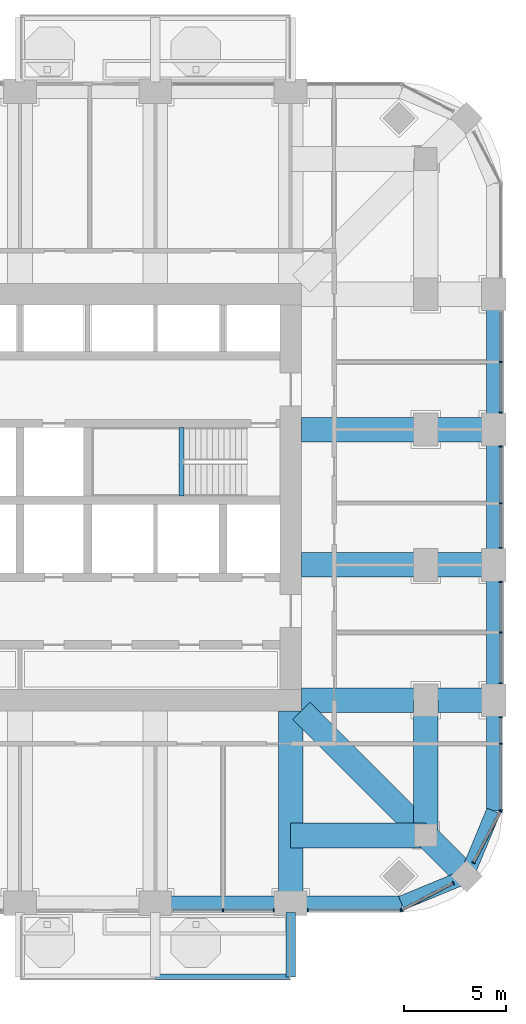
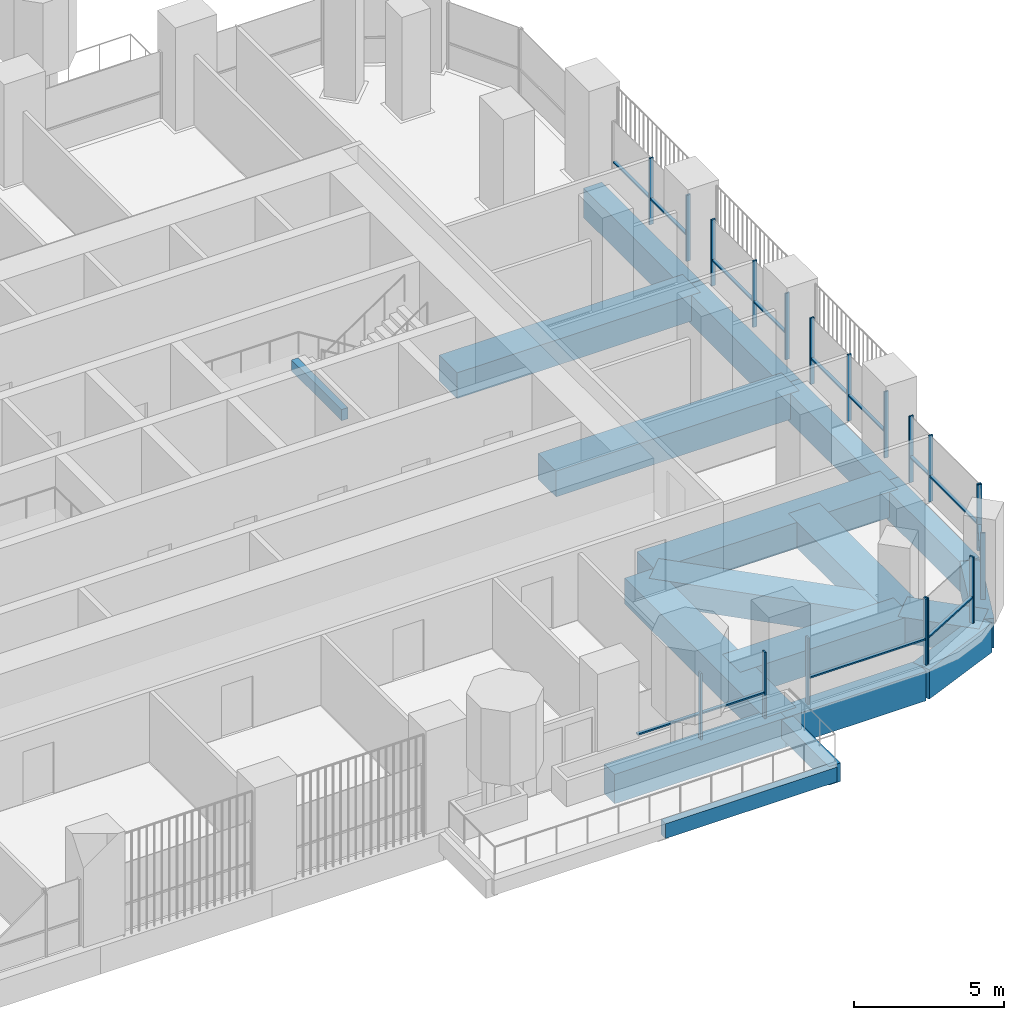
# One storey, part 5 of 20: 32 members, 19 beams, 8 elements without a shape of their own.
"""IFC4 building model written with IfcOpenShell, lengths in metres."""

from ifc_helpers import new_model, si_unit, direction, frame, origin, origin_2d, place, context, subcontext, project, spatial, rectangle, extrude, material, material_profile, profile_set, type_object, element, aggregate, save


model = new_model("IFC4")

# Units and contexts
model_context = context("Model", 3, precision=1e-05, world=origin(), true_north=direction((0.0, 1.0)))
body_context = subcontext(model_context, "Body", "Model", "MODEL_VIEW")
ifc_project = project(units=[si_unit("LENGTHUNIT", "METRE"), si_unit("AREAUNIT", "SQUARE_METRE"), si_unit("VOLUMEUNIT", "CUBIC_METRE"), si_unit("PLANEANGLEUNIT", "RADIAN"), si_unit("MASSUNIT", "GRAM", prefix="KILO")], contexts=[model_context])

# Site, building, storey
site_placement = place(None, origin())
site = spatial("IfcSite", under=ifc_project, at=site_placement, CompositionType="ELEMENT")
building_placement = place(site_placement, origin())
building = spatial("IfcBuilding", under=site, at=building_placement, Name="Cobogo Forest Laboratory Tower", CompositionType="ELEMENT")
storey_placement = place(building_placement, frame((0.0, 0.0, 189.300048828125)))
storey = spatial("IfcBuildingStorey", under=building, at=storey_placement, Name="L43", CompositionType="ELEMENT", Elevation=189.300048828125)

# Beams
ifc_material_1 = material(Name="Concrete HA-40 (C40/50)", Category="concrete")
ifc_material_profile_1 = material_profile(ifc_material_1, rectangle(XDim=0.449951171875, YDim=0.75, at=origin_2d()), Name="RC 450x750")
ifc_profile_set_1 = profile_set([ifc_material_profile_1], Name="Concrete HA-40 (C40/50)")
beam_type_1 = type_object("IfcBeamType", Name="Balcony cantilever beam 450x750", PredefinedType="BEAM", material=ifc_profile_set_1)
beam_1_placement = place(storey_placement, frame((39.60009765625, 2.85009765625, -0.625), z_axis=(0.0, -1.0, 0.0), x_axis=(1.0, 0.0, 0.0)))
element("IfcBeam", 1, at=beam_1_placement, inside=storey, type_object=beam_type_1, Name="CB1 BAL-S1-C3 L43", PredefinedType="BEAM", context=body_context, shape_type="SweptSolid", body=[
    extrude(rectangle(XDim=0.449951171875, YDim=0.75, at=origin_2d()), origin(), (0.0, 0.0, 1.0), 3.150146484375),
])
ifc_material_profile_2 = material_profile(ifc_material_1, rectangle(XDim=0.300048828125, YDim=0.60009765625, at=origin_2d()), Name="RC 300x600")
ifc_profile_set_2 = profile_set([ifc_material_profile_2], Name="Concrete HA-40 (C40/50)")
beam_type_2 = type_object("IfcBeamType", Name="Balcony edge beam 300x600", PredefinedType="BEAM", material=ifc_profile_set_2)
beam_2_placement = place(storey_placement, frame((33.0, -0.300048828125, -0.550048828125), z_axis=(1.0, 0.0, 0.0), x_axis=(0.0, 1.0, 0.0)))
element("IfcBeam", 2, at=beam_2_placement, inside=storey, type_object=beam_type_2, Name="BB1 BAL-S1-T2 L43", PredefinedType="BEAM", context=body_context, shape_type="SweptSolid", body=[
    extrude(rectangle(XDim=0.300048828125, YDim=0.60009765625, at=origin_2d()), origin(), (0.0, 0.0, 1.0), 6.60009765625),
])
ifc_material_profile_3 = material_profile(ifc_material_1, rectangle(XDim=0.25, YDim=0.449951171875, at=origin_2d()), Name="RC 250x450")
ifc_profile_set_3 = profile_set([ifc_material_profile_3], Name="Concrete HA-40 (C40/50)")
beam_type_3 = type_object("IfcBeamType", Name="LB1 landing beam 250x450", PredefinedType="BEAM", material=ifc_profile_set_3)
beam_3_placement = place(storey_placement, frame((34.27001953125, 23.14990234375, 1.675048828125), z_axis=(0.0, 1.0, 0.0), x_axis=(-1.0, 0.0, 0.0)))
element("IfcBeam", 3, at=beam_3_placement, inside=storey, type_object=beam_type_3, Name="Landing beam ST2 L43", PredefinedType="BEAM", context=body_context, shape_type="SweptSolid", body=[
    extrude(rectangle(XDim=0.25, YDim=0.449951171875, at=origin_2d()), origin(), (0.0, 0.0, 1.0), 3.35009765625),
])
ifc_material_profile_4 = material_profile(ifc_material_1, rectangle(XDim=1.199951171875, YDim=1.050048828125, at=origin_2d()), Name="RC 1200x1050")
ifc_profile_set_4 = profile_set([ifc_material_profile_4], Name="Concrete HA-40 (C40/50)")
beam_type_4 = type_object("IfcBeamType", Name="Laboratory floor wide beam 1200x1050", PredefinedType="BEAM", material=ifc_profile_set_4)
for number, where, z_axis, x_axis, name in (
    (4, (39.60009765625, 12.675048828125, -0.824951171875), (0.0, -1.0, 0.0), (1.0, 0.0, 0.0), "RB1 R-7-S L43"),
    (5, (40.125, 13.199951171875, -0.824951171875), (1.0, 0.0, 0.0), (0.0, 1.0, 0.0), "RB1 R-C-E L43"),
    (6, (40.125, 19.800048828125, -0.824951171875), (1.0, 0.0, 0.0), (0.0, 1.0, 0.0), "RB1 R-D-E L43"),
    (7, (40.125, 26.39990234375, -0.824951171875), (1.0, 0.0, 0.0), (0.0, 1.0, 0.0), "RB1 R-E-E L43"),
):
    element("IfcBeam", number, at=place(storey_placement, frame(where, z_axis=z_axis, x_axis=x_axis)), inside=storey, type_object=beam_type_4, Name=name, PredefinedType="BEAM", context=body_context, shape_type="SweptSolid", body=[
        extrude(rectangle(XDim=1.199951171875, YDim=1.050048828125, at=origin_2d()), origin(), (0.0, 0.0, 1.0), 9.375),
    ])
for number, where, z_axis, x_axis, name in (
    (8, (46.199951171875, 6.60009765625, -0.824951171875), (0.0, 1.0, 0.0), (-1.0, 0.0, 0.0), "RB1 G-SE-XC L43"),
    (9, (46.199951171875, 6.60009765625, -0.824951171875), (-1.0, 0.0, 0.0), (0.0, -1.0, 0.0), "RB1 G-SE-YC L43"),
):
    element("IfcBeam", number, at=place(storey_placement, frame(where, z_axis=z_axis, x_axis=x_axis)), inside=storey, type_object=beam_type_4, Name=name, PredefinedType="BEAM", context=body_context, shape_type="SweptSolid", body=[
        extrude(rectangle(XDim=1.199951171875, YDim=1.050048828125, at=origin_2d()), origin(), (0.0, 0.0, 1.0), 6.599853515625),
    ])
beam_4_placement = place(storey_placement, frame((48.181884765625, 4.617919921875, -0.824951171875), z_axis=(-0.707063230743, 0.707150328948, 0.0), x_axis=(-0.707150328948, -0.707063230743, 0.0)))
element("IfcBeam", 10, at=beam_4_placement, inside=storey, type_object=beam_type_4, Name="RB1 G-SE-D1 L43", PredefinedType="BEAM", context=body_context, shape_type="SweptSolid", body=[
    extrude(rectangle(XDim=1.199951171875, YDim=1.050048828125, at=origin_2d()), origin(), (0.0, 0.0, 1.0), 2.802978515625),
])
beam_5_placement = place(storey_placement, frame((46.199951171875, 6.60009765625, -0.824951171875), z_axis=(-0.707106781187, 0.707106781187, 0.0), x_axis=(-0.707106781187, -0.707106781187, 0.0)))
element("IfcBeam", 11, at=beam_5_placement, inside=storey, type_object=beam_type_4, Name="RB1 G-SE-D2 L43", PredefinedType="BEAM", context=body_context, shape_type="SweptSolid", body=[
    extrude(rectangle(XDim=1.199951171875, YDim=1.050048828125, at=origin_2d()), origin(), (0.0, 0.0, 1.0), 8.59130859375),
])

# Curtain wall, members
ifc_material_2 = material(Name="Aluminium curtain wall", Category="aluminium")
curtain_wall_type = type_object("IfcCurtainWallType", Name="CW-2 unitised curtain wall, solar control glazing, laboratory floors zones C and D", PredefinedType="USERDEFINED", material=ifc_material_2)
curtain_wall_1_placement = place(storey_placement, origin())
curtain_wall_1 = element("IfcCurtainWall", 12, at=curtain_wall_1_placement, inside=storey, type_object=curtain_wall_type, Name="Curtain wall 05 L43", ObjectType="UNITISED CURTAIN WALL", PredefinedType="USERDEFINED")
ifc_material_3 = material(Name="Aluminium mullion", Category="aluminium")
ifc_material_profile_5 = material_profile(ifc_material_3, rectangle(XDim=0.06005859375, YDim=0.159912109375, at=origin_2d()), Name="AL 60x160")
ifc_profile_set_5 = profile_set([ifc_material_profile_5], Name="Aluminium mullion")
member_type_1 = type_object("IfcMemberType", Name="MU-1 aluminium mullion 60x160", PredefinedType="MULLION", material=ifc_profile_set_5)
member_1_placement = place(storey_placement, frame((36.300048828125, 2.949951171875, 0.0), z_axis=(0.0, 0.0, 1.0), x_axis=(1.0, 0.0, 0.0)))
member_1 = element("IfcMember", 13, at=member_1_placement, type_object=member_type_1, Name="CW-2 mullion 2", PredefinedType="MULLION", context=body_context, shape_type="SweptSolid", body=[
    extrude(rectangle(XDim=0.06005859375, YDim=0.159912109375, at=origin_2d()), origin(), (0.0, 0.0, 1.0), 2.699951171875),
])
member_2_placement = place(storey_placement, frame((38.77001953125, 2.949951171875, 0.0), z_axis=(0.0, 0.0, 1.0), x_axis=(1.0, 0.0, 0.0)))
member_2 = element("IfcMember", 14, at=member_2_placement, type_object=member_type_1, Name="CW-2 mullion 3", PredefinedType="MULLION", context=body_context, shape_type="SweptSolid", body=[
    extrude(rectangle(XDim=0.06005859375, YDim=0.159912109375, at=origin_2d()), origin(), (0.0, 0.0, 1.0), 2.699951171875),
])

curtain_wall_2_placement = place(storey_placement, origin())
curtain_wall_2 = element("IfcCurtainWall", 15, at=curtain_wall_2_placement, inside=storey, type_object=curtain_wall_type, Name="Curtain wall 06 L43", ObjectType="UNITISED CURTAIN WALL", PredefinedType="USERDEFINED")
member_3_placement = place(storey_placement, frame((40.429931640625, 2.949951171875, 0.0), z_axis=(0.0, 0.0, 1.0), x_axis=(1.0, 0.0, 0.0)))
member_3 = element("IfcMember", 16, at=member_3_placement, type_object=member_type_1, Name="CW-2 mullion 1", PredefinedType="MULLION", context=body_context, shape_type="SweptSolid", body=[
    extrude(rectangle(XDim=0.06005859375, YDim=0.159912109375, at=origin_2d()), origin(), (0.0, 0.0, 1.0), 2.699951171875),
])
member_4_placement = place(storey_placement, frame((44.969970703125, 2.949951171875, 0.0), z_axis=(0.0, 0.0, 1.0), x_axis=(1.0, 0.0, 0.0)))
member_4 = element("IfcMember", 17, at=member_4_placement, type_object=member_type_1, Name="CW-2 mullion 2", PredefinedType="MULLION", context=body_context, shape_type="SweptSolid", body=[
    extrude(rectangle(XDim=0.06005859375, YDim=0.159912109375, at=origin_2d()), origin(), (0.0, 0.0, 1.0), 2.699951171875),
])

curtain_wall_3_placement = place(storey_placement, origin())
curtain_wall_3 = element("IfcCurtainWall", 18, at=curtain_wall_3_placement, inside=storey, type_object=curtain_wall_type, Name="Curtain wall 07 L43", ObjectType="UNITISED CURTAIN WALL", PredefinedType="USERDEFINED")
member_5_placement = place(storey_placement, frame((45.026611328125, 2.9638671875, 0.0), z_axis=(0.0, 0.0, 1.0), x_axis=(0.885686484356, 0.464283804832, 0.0)))
member_5 = element("IfcMember", 19, at=member_5_placement, type_object=member_type_1, Name="CW-2 mullion 1", PredefinedType="MULLION", context=body_context, shape_type="SweptSolid", body=[
    extrude(rectangle(XDim=0.06005859375, YDim=0.159912109375, at=origin_2d()), origin(), (0.0, 0.0, 1.0), 2.699951171875),
])
member_6_placement = place(storey_placement, frame((47.5244140625, 4.2734375, 0.0), z_axis=(0.0, 0.0, 1.0), x_axis=(0.885686484356, 0.464283804832, 0.0)))
member_6 = element("IfcMember", 20, at=member_6_placement, type_object=member_type_1, Name="CW-2 mullion 2", PredefinedType="MULLION", context=body_context, shape_type="SweptSolid", body=[
    extrude(rectangle(XDim=0.06005859375, YDim=0.159912109375, at=origin_2d()), origin(), (0.0, 0.0, 1.0), 2.699951171875),
])

curtain_wall_4_placement = place(storey_placement, origin())
curtain_wall_4 = element("IfcCurtainWall", 21, at=curtain_wall_4_placement, inside=storey, type_object=curtain_wall_type, Name="Curtain wall 08 L43", ObjectType="UNITISED CURTAIN WALL", PredefinedType="USERDEFINED")
member_7_placement = place(storey_placement, frame((48.526611328125, 5.275634765625, 0.0), z_axis=(0.0, 0.0, 1.0), x_axis=(0.464283804832, 0.885686484356, 0.0)))
member_7 = element("IfcMember", 22, at=member_7_placement, type_object=member_type_1, Name="CW-2 mullion 1", PredefinedType="MULLION", context=body_context, shape_type="SweptSolid", body=[
    extrude(rectangle(XDim=0.06005859375, YDim=0.159912109375, at=origin_2d()), origin(), (0.0, 0.0, 1.0), 2.699951171875),
])
member_8_placement = place(storey_placement, frame((49.836181640625, 7.7734375, 0.0), z_axis=(0.0, 0.0, 1.0), x_axis=(0.464283804832, 0.885686484356, 0.0)))
member_8 = element("IfcMember", 23, at=member_8_placement, type_object=member_type_1, Name="CW-2 mullion 2", PredefinedType="MULLION", context=body_context, shape_type="SweptSolid", body=[
    extrude(rectangle(XDim=0.06005859375, YDim=0.159912109375, at=origin_2d()), origin(), (0.0, 0.0, 1.0), 2.699951171875),
])

curtain_wall_5_placement = place(storey_placement, origin())
curtain_wall_5 = element("IfcCurtainWall", 24, at=curtain_wall_5_placement, inside=storey, type_object=curtain_wall_type, Name="Curtain wall 09 L43", ObjectType="UNITISED CURTAIN WALL", PredefinedType="USERDEFINED")
member_9_placement = place(storey_placement, frame((49.85009765625, 7.830078125, 0.0), z_axis=(0.0, 0.0, 1.0), x_axis=(0.0, 1.0, 0.0)))
member_9 = element("IfcMember", 25, at=member_9_placement, type_object=member_type_1, Name="CW-2 mullion 1", PredefinedType="MULLION", context=body_context, shape_type="SweptSolid", body=[
    extrude(rectangle(XDim=0.06005859375, YDim=0.159912109375, at=origin_2d()), origin(), (0.0, 0.0, 1.0), 2.699951171875),
])
member_10_placement = place(storey_placement, frame((49.85009765625, 11.074951171875, 0.0), z_axis=(0.0, 0.0, 1.0), x_axis=(0.0, 1.0, 0.0)))
member_10 = element("IfcMember", 26, at=member_10_placement, type_object=member_type_1, Name="CW-2 mullion 2", PredefinedType="MULLION", context=body_context, shape_type="SweptSolid", body=[
    extrude(rectangle(XDim=0.06005859375, YDim=0.159912109375, at=origin_2d()), origin(), (0.0, 0.0, 1.0), 2.699951171875),
])
member_11_placement = place(storey_placement, frame((49.85009765625, 12.3701171875, 0.0), z_axis=(0.0, 0.0, 1.0), x_axis=(0.0, 1.0, 0.0)))
member_11 = element("IfcMember", 27, at=member_11_placement, type_object=member_type_1, Name="CW-2 mullion 3", PredefinedType="MULLION", context=body_context, shape_type="SweptSolid", body=[
    extrude(rectangle(XDim=0.06005859375, YDim=0.159912109375, at=origin_2d()), origin(), (0.0, 0.0, 1.0), 2.699951171875),
])

curtain_wall_6_placement = place(storey_placement, origin())
curtain_wall_6 = element("IfcCurtainWall", 28, at=curtain_wall_6_placement, inside=storey, type_object=curtain_wall_type, Name="Curtain wall 10 L43", ObjectType="UNITISED CURTAIN WALL", PredefinedType="USERDEFINED")
member_12_placement = place(storey_placement, frame((49.85009765625, 14.030029296875, 0.0), z_axis=(0.0, 0.0, 1.0), x_axis=(0.0, 1.0, 0.0)))
member_12 = element("IfcMember", 29, at=member_12_placement, type_object=member_type_1, Name="CW-2 mullion 1", PredefinedType="MULLION", context=body_context, shape_type="SweptSolid", body=[
    extrude(rectangle(XDim=0.06005859375, YDim=0.159912109375, at=origin_2d()), origin(), (0.0, 0.0, 1.0), 2.699951171875),
])
member_13_placement = place(storey_placement, frame((49.85009765625, 16.5, 0.0), z_axis=(0.0, 0.0, 1.0), x_axis=(0.0, 1.0, 0.0)))
member_13 = element("IfcMember", 30, at=member_13_placement, type_object=member_type_1, Name="CW-2 mullion 2", PredefinedType="MULLION", context=body_context, shape_type="SweptSolid", body=[
    extrude(rectangle(XDim=0.06005859375, YDim=0.159912109375, at=origin_2d()), origin(), (0.0, 0.0, 1.0), 2.699951171875),
])
member_14_placement = place(storey_placement, frame((49.85009765625, 18.969970703125, 0.0), z_axis=(0.0, 0.0, 1.0), x_axis=(0.0, 1.0, 0.0)))
member_14 = element("IfcMember", 31, at=member_14_placement, type_object=member_type_1, Name="CW-2 mullion 3", PredefinedType="MULLION", context=body_context, shape_type="SweptSolid", body=[
    extrude(rectangle(XDim=0.06005859375, YDim=0.159912109375, at=origin_2d()), origin(), (0.0, 0.0, 1.0), 2.699951171875),
])

curtain_wall_7_placement = place(storey_placement, origin())
curtain_wall_7 = element("IfcCurtainWall", 32, at=curtain_wall_7_placement, inside=storey, type_object=curtain_wall_type, Name="Curtain wall 11 L43", ObjectType="UNITISED CURTAIN WALL", PredefinedType="USERDEFINED")
member_15_placement = place(storey_placement, frame((49.85009765625, 20.6298828125, 0.0), z_axis=(0.0, 0.0, 1.0), x_axis=(0.0, 1.0, 0.0)))
member_15 = element("IfcMember", 33, at=member_15_placement, type_object=member_type_1, Name="CW-2 mullion 1", PredefinedType="MULLION", context=body_context, shape_type="SweptSolid", body=[
    extrude(rectangle(XDim=0.06005859375, YDim=0.159912109375, at=origin_2d()), origin(), (0.0, 0.0, 1.0), 2.699951171875),
])
member_16_placement = place(storey_placement, frame((49.85009765625, 22.800048828125, 0.0), z_axis=(0.0, 0.0, 1.0), x_axis=(0.0, 1.0, 0.0)))
member_16 = element("IfcMember", 34, at=member_16_placement, type_object=member_type_1, Name="CW-2 mullion 2", PredefinedType="MULLION", context=body_context, shape_type="SweptSolid", body=[
    extrude(rectangle(XDim=0.06005859375, YDim=0.159912109375, at=origin_2d()), origin(), (0.0, 0.0, 1.0), 2.699951171875),
])
member_17_placement = place(storey_placement, frame((49.85009765625, 25.570068359375, 0.0), z_axis=(0.0, 0.0, 1.0), x_axis=(0.0, 1.0, 0.0)))
member_17 = element("IfcMember", 35, at=member_17_placement, type_object=member_type_1, Name="CW-2 mullion 3", PredefinedType="MULLION", context=body_context, shape_type="SweptSolid", body=[
    extrude(rectangle(XDim=0.06005859375, YDim=0.159912109375, at=origin_2d()), origin(), (0.0, 0.0, 1.0), 2.699951171875),
])

curtain_wall_8_placement = place(storey_placement, origin())
curtain_wall_8 = element("IfcCurtainWall", 36, at=curtain_wall_8_placement, inside=storey, type_object=curtain_wall_type, Name="Curtain wall 12 L43", ObjectType="UNITISED CURTAIN WALL", PredefinedType="USERDEFINED")
member_18_placement = place(storey_placement, frame((49.85009765625, 27.22998046875, 0.0), z_axis=(0.0, 0.0, 1.0), x_axis=(0.0, 1.0, 0.0)))
member_18 = element("IfcMember", 37, at=member_18_placement, type_object=member_type_1, Name="CW-2 mullion 1", PredefinedType="MULLION", context=body_context, shape_type="SweptSolid", body=[
    extrude(rectangle(XDim=0.06005859375, YDim=0.159912109375, at=origin_2d()), origin(), (0.0, 0.0, 1.0), 2.699951171875),
])
member_19_placement = place(storey_placement, frame((49.85009765625, 29.699951171875, 0.0), z_axis=(0.0, 0.0, 1.0), x_axis=(0.0, 1.0, 0.0)))
member_19 = element("IfcMember", 38, at=member_19_placement, type_object=member_type_1, Name="CW-2 mullion 2", PredefinedType="MULLION", context=body_context, shape_type="SweptSolid", body=[
    extrude(rectangle(XDim=0.06005859375, YDim=0.159912109375, at=origin_2d()), origin(), (0.0, 0.0, 1.0), 2.699951171875),
])

# Beams
ifc_material_profile_6 = material_profile(ifc_material_1, rectangle(XDim=0.699951171875, YDim=1.199951171875, at=origin_2d()), Name="RC 700x1200")
ifc_profile_set_6 = profile_set([ifc_material_profile_6], Name="Concrete HA-40 (C40/50)")
beam_type_5 = type_object("IfcBeamType", Name="Perimeter edge beam 700x1200", PredefinedType="BEAM", material=ifc_profile_set_6)
for number, where, z_axis, x_axis, name in (
    (39, (33.0, 3.300048828125, -0.900146484375), (1.0, 0.0, 0.0), (0.0, 1.0, 0.0), "EB1 E-S4 L43"),
    (40, (49.5, 13.199951171875, -0.900146484375), (0.0, 1.0, 0.0), (-1.0, 0.0, 0.0), "EB1 E-E1 L43"),
):
    element("IfcBeam", number, at=place(storey_placement, frame(where, z_axis=z_axis, x_axis=x_axis)), inside=storey, type_object=beam_type_5, Name=name, PredefinedType="BEAM", context=body_context, shape_type="SweptSolid", body=[
        extrude(rectangle(XDim=0.699951171875, YDim=1.199951171875, at=origin_2d()), origin(), (0.0, 0.0, 1.0), 6.60009765625),
    ])
beam_6_placement = place(storey_placement, frame((49.5, 19.800048828125, -0.900146484375), z_axis=(0.0, 1.0, 0.0), x_axis=(-1.0, 0.0, 0.0)))
element("IfcBeam", 41, at=beam_6_placement, inside=storey, type_object=beam_type_5, Name="EB1 E-E2 L43", PredefinedType="BEAM", context=body_context, shape_type="SweptSolid", body=[
    extrude(rectangle(XDim=0.699951171875, YDim=1.199951171875, at=origin_2d()), origin(), (0.0, 0.0, 1.0), 6.599853515625),
])
beam_7_placement = place(storey_placement, frame((49.5, 26.39990234375, -0.900146484375), z_axis=(0.0, 1.0, 0.0), x_axis=(-1.0, 0.0, 0.0)))
element("IfcBeam", 42, at=beam_7_placement, inside=storey, type_object=beam_type_5, Name="EB1 E-E3 L43", PredefinedType="BEAM", context=body_context, shape_type="SweptSolid", body=[
    extrude(rectangle(XDim=0.699951171875, YDim=1.199951171875, at=origin_2d()), origin(), (0.0, 0.0, 1.0), 6.60009765625),
])
beam_8_placement = place(storey_placement, frame((39.60009765625, 3.300048828125, -0.900146484375), z_axis=(1.0, 0.0, 0.0), x_axis=(0.0, 1.0, 0.0)))
element("IfcBeam", 43, at=beam_8_placement, inside=storey, type_object=beam_type_5, Name="EB1 E-SES1 L43", PredefinedType="BEAM", context=body_context, shape_type="SweptSolid", body=[
    extrude(rectangle(XDim=0.699951171875, YDim=1.199951171875, at=origin_2d()), origin(), (0.0, 0.0, 1.0), 5.39990234375),
])
beam_9_placement = place(storey_placement, frame((45.0, 3.300048828125, -0.900146484375), z_axis=(0.923890694089, 0.382656484822, 0.0), x_axis=(-0.382656484822, 0.923890694089, 0.0)))
element("IfcBeam", 44, at=beam_9_placement, inside=storey, type_object=beam_type_5, Name="EB1 E-SES2 L43", PredefinedType="BEAM", context=body_context, shape_type="SweptSolid", body=[
    extrude(rectangle(XDim=0.699951171875, YDim=1.199951171875, at=origin_2d()), origin(), (0.0, 0.0, 1.0), 3.444091796875),
])
beam_10_placement = place(storey_placement, frame((49.5, 13.199951171875, -0.900146484375), z_axis=(0.0, -1.0, 0.0), x_axis=(1.0, 0.0, 0.0)))
element("IfcBeam", 45, at=beam_10_placement, inside=storey, type_object=beam_type_5, Name="EB1 E-SEE1 L43", PredefinedType="BEAM", context=body_context, shape_type="SweptSolid", body=[
    extrude(rectangle(XDim=0.699951171875, YDim=1.199951171875, at=origin_2d()), origin(), (0.0, 0.0, 1.0), 5.39990234375),
])
beam_11_placement = place(storey_placement, frame((49.5, 7.800048828125, -0.900146484375), z_axis=(-0.382691928466, -0.923876013265, 0.0), x_axis=(0.923876013265, -0.382691928466, 0.0)))
element("IfcBeam", 46, at=beam_11_placement, inside=storey, type_object=beam_type_5, Name="EB1 E-SEE2 L43", PredefinedType="BEAM", context=body_context, shape_type="SweptSolid", body=[
    extrude(rectangle(XDim=0.699951171875, YDim=1.199951171875, at=origin_2d()), origin(), (0.0, 0.0, 1.0), 3.4443359375),
])

# Member
ifc_material_4 = material(Name="Aluminium transom", Category="aluminium")
ifc_material_profile_7 = material_profile(ifc_material_4, rectangle(XDim=0.1201171875, YDim=0.06005859375, at=origin_2d()), Name="AL 60x120")
ifc_profile_set_7 = profile_set([ifc_material_profile_7], Name="Aluminium transom")
member_type_2 = type_object("IfcMemberType", Name="TR-1 aluminium transom 60x120", PredefinedType="USERDEFINED", material=ifc_profile_set_7)
member_20_placement = place(storey_placement, frame((33.860107421875, 2.949951171875, 1.050048828125), z_axis=(1.0, 0.0, 0.0), x_axis=(0.0, 1.0, 0.0)))
member_20 = element("IfcMember", 47, at=member_20_placement, type_object=member_type_2, Name="CW-2 transom 1.1", ObjectType="TRANSOM", PredefinedType="USERDEFINED", context=body_context, shape_type="SweptSolid", body=[
    extrude(rectangle(XDim=0.1201171875, YDim=0.06005859375, at=origin_2d()), origin(), (0.0, 0.0, 1.0), 2.409912109375),
])

member_21_placement = place(storey_placement, frame((36.330078125, 2.949951171875, 1.050048828125), z_axis=(1.0, 0.0, 0.0), x_axis=(0.0, 1.0, 0.0)))
member_21 = element("IfcMember", 48, at=member_21_placement, type_object=member_type_2, Name="CW-2 transom 2.1", ObjectType="TRANSOM", PredefinedType="USERDEFINED", context=body_context, shape_type="SweptSolid", body=[
    extrude(rectangle(XDim=0.1201171875, YDim=0.06005859375, at=origin_2d()), origin(), (0.0, 0.0, 1.0), 2.409912109375),
])

aggregate(curtain_wall_1, [member_1, member_2, member_20, member_21])

member_22_placement = place(storey_placement, frame((40.4599609375, 2.949951171875, 1.050048828125), z_axis=(1.0, 0.0, 0.0), x_axis=(0.0, 1.0, 0.0)))
member_22 = element("IfcMember", 49, at=member_22_placement, type_object=member_type_2, Name="CW-2 transom 1.1", ObjectType="TRANSOM", PredefinedType="USERDEFINED", context=body_context, shape_type="SweptSolid", body=[
    extrude(rectangle(XDim=0.1201171875, YDim=0.06005859375, at=origin_2d()), origin(), (0.0, 0.0, 1.0), 4.47998046875),
])

aggregate(curtain_wall_2, [member_3, member_4, member_22])

member_23_placement = place(storey_placement, frame((45.05322265625, 2.977783203125, 1.050048828125), z_axis=(0.885646224078, 0.464360598863, 0.0), x_axis=(-0.464360598863, 0.885646224078, 0.0)))
member_23 = element("IfcMember", 50, at=member_23_placement, type_object=member_type_2, Name="CW-2 transom 1.1", ObjectType="TRANSOM", PredefinedType="USERDEFINED", context=body_context, shape_type="SweptSolid", body=[
    extrude(rectangle(XDim=0.1201171875, YDim=0.06005859375, at=origin_2d()), origin(), (0.0, 0.0, 1.0), 2.76025390625),
])

aggregate(curtain_wall_3, [member_5, member_6, member_23])

member_24_placement = place(storey_placement, frame((48.54052734375, 5.302001953125, 1.050048828125), z_axis=(0.464254846591, 0.88570166389, 0.0), x_axis=(-0.88570166389, 0.464254846591, 0.0)))
member_24 = element("IfcMember", 51, at=member_24_placement, type_object=member_type_2, Name="CW-2 transom 1.1", ObjectType="TRANSOM", PredefinedType="USERDEFINED", context=body_context, shape_type="SweptSolid", body=[
    extrude(rectangle(XDim=0.1201171875, YDim=0.06005859375, at=origin_2d()), origin(), (0.0, 0.0, 1.0), 2.76025390625),
])

aggregate(curtain_wall_4, [member_7, member_8, member_24])

member_25_placement = place(storey_placement, frame((49.85009765625, 7.860107421875, 1.050048828125), z_axis=(0.0, 1.0, 0.0), x_axis=(-1.0, 0.0, 0.0)))
member_25 = element("IfcMember", 52, at=member_25_placement, type_object=member_type_2, Name="CW-2 transom 1.1", ObjectType="TRANSOM", PredefinedType="USERDEFINED", context=body_context, shape_type="SweptSolid", body=[
    extrude(rectangle(XDim=0.1201171875, YDim=0.06005859375, at=origin_2d()), origin(), (0.0, 0.0, 1.0), 3.184814453125),
])

member_26_placement = place(storey_placement, frame((49.85009765625, 11.10498046875, 1.050048828125), z_axis=(0.0, 1.0, 0.0), x_axis=(-1.0, 0.0, 0.0)))
member_26 = element("IfcMember", 53, at=member_26_placement, type_object=member_type_2, Name="CW-2 transom 2.1", ObjectType="TRANSOM", PredefinedType="USERDEFINED", context=body_context, shape_type="SweptSolid", body=[
    extrude(rectangle(XDim=0.1201171875, YDim=0.06005859375, at=origin_2d()), origin(), (0.0, 0.0, 1.0), 1.235107421875),
])

aggregate(curtain_wall_5, [member_9, member_10, member_11, member_25, member_26])

member_27_placement = place(storey_placement, frame((49.85009765625, 14.06005859375, 1.050048828125), z_axis=(0.0, 1.0, 0.0), x_axis=(-1.0, 0.0, 0.0)))
member_27 = element("IfcMember", 54, at=member_27_placement, type_object=member_type_2, Name="CW-2 transom 1.1", ObjectType="TRANSOM", PredefinedType="USERDEFINED", context=body_context, shape_type="SweptSolid", body=[
    extrude(rectangle(XDim=0.1201171875, YDim=0.06005859375, at=origin_2d()), origin(), (0.0, 0.0, 1.0), 2.409912109375),
])

member_28_placement = place(storey_placement, frame((49.85009765625, 16.530029296875, 1.050048828125), z_axis=(0.0, 1.0, 0.0), x_axis=(-1.0, 0.0, 0.0)))
member_28 = element("IfcMember", 55, at=member_28_placement, type_object=member_type_2, Name="CW-2 transom 2.1", ObjectType="TRANSOM", PredefinedType="USERDEFINED", context=body_context, shape_type="SweptSolid", body=[
    extrude(rectangle(XDim=0.1201171875, YDim=0.06005859375, at=origin_2d()), origin(), (0.0, 0.0, 1.0), 2.409912109375),
])

aggregate(curtain_wall_6, [member_12, member_13, member_14, member_27, member_28])

member_29_placement = place(storey_placement, frame((49.85009765625, 20.659912109375, 1.050048828125), z_axis=(0.0, 1.0, 0.0), x_axis=(-1.0, 0.0, 0.0)))
member_29 = element("IfcMember", 56, at=member_29_placement, type_object=member_type_2, Name="CW-2 transom 1.1", ObjectType="TRANSOM", PredefinedType="USERDEFINED", context=body_context, shape_type="SweptSolid", body=[
    extrude(rectangle(XDim=0.1201171875, YDim=0.06005859375, at=origin_2d()), origin(), (0.0, 0.0, 1.0), 2.110107421875),
])

member_30_placement = place(storey_placement, frame((49.85009765625, 22.830078125, 1.050048828125), z_axis=(0.0, 1.0, 0.0), x_axis=(-1.0, 0.0, 0.0)))
member_30 = element("IfcMember", 57, at=member_30_placement, type_object=member_type_2, Name="CW-2 transom 2.1", ObjectType="TRANSOM", PredefinedType="USERDEFINED", context=body_context, shape_type="SweptSolid", body=[
    extrude(rectangle(XDim=0.1201171875, YDim=0.06005859375, at=origin_2d()), origin(), (0.0, 0.0, 1.0), 2.7099609375),
])

aggregate(curtain_wall_7, [member_15, member_16, member_17, member_29, member_30])

member_31_placement = place(storey_placement, frame((49.85009765625, 27.260009765625, 1.050048828125), z_axis=(0.0, 1.0, 0.0), x_axis=(-1.0, 0.0, 0.0)))
member_31 = element("IfcMember", 58, at=member_31_placement, type_object=member_type_2, Name="CW-2 transom 1.1", ObjectType="TRANSOM", PredefinedType="USERDEFINED", context=body_context, shape_type="SweptSolid", body=[
    extrude(rectangle(XDim=0.1201171875, YDim=0.06005859375, at=origin_2d()), origin(), (0.0, 0.0, 1.0), 2.409912109375),
])

member_32_placement = place(storey_placement, frame((49.85009765625, 29.72998046875, 1.050048828125), z_axis=(0.0, 1.0, 0.0), x_axis=(-1.0, 0.0, 0.0)))
member_32 = element("IfcMember", 59, at=member_32_placement, type_object=member_type_2, Name="CW-2 transom 2.1", ObjectType="TRANSOM", PredefinedType="USERDEFINED", context=body_context, shape_type="SweptSolid", body=[
    extrude(rectangle(XDim=0.1201171875, YDim=0.06005859375, at=origin_2d()), origin(), (0.0, 0.0, 1.0), 2.409912109375),
])

aggregate(curtain_wall_8, [member_18, member_19, member_31, member_32])

save(model, "model.ifc")
